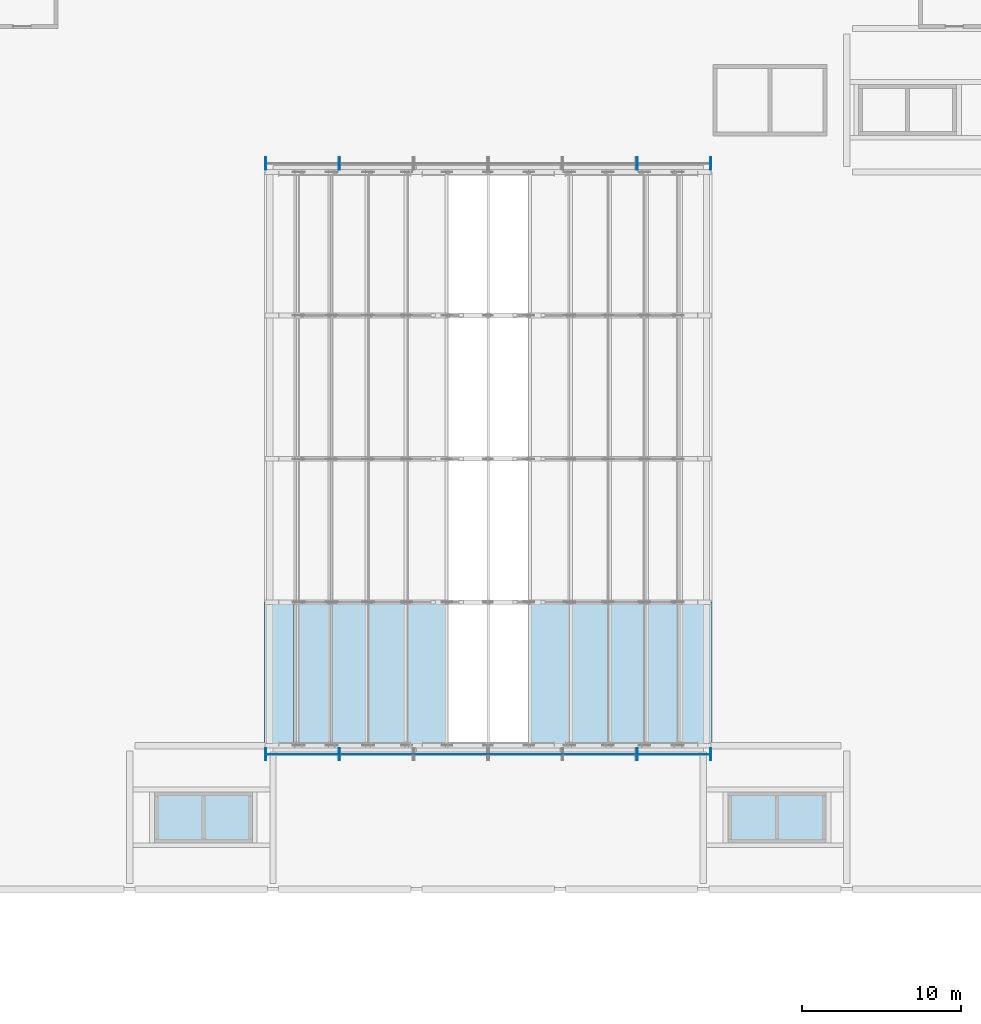
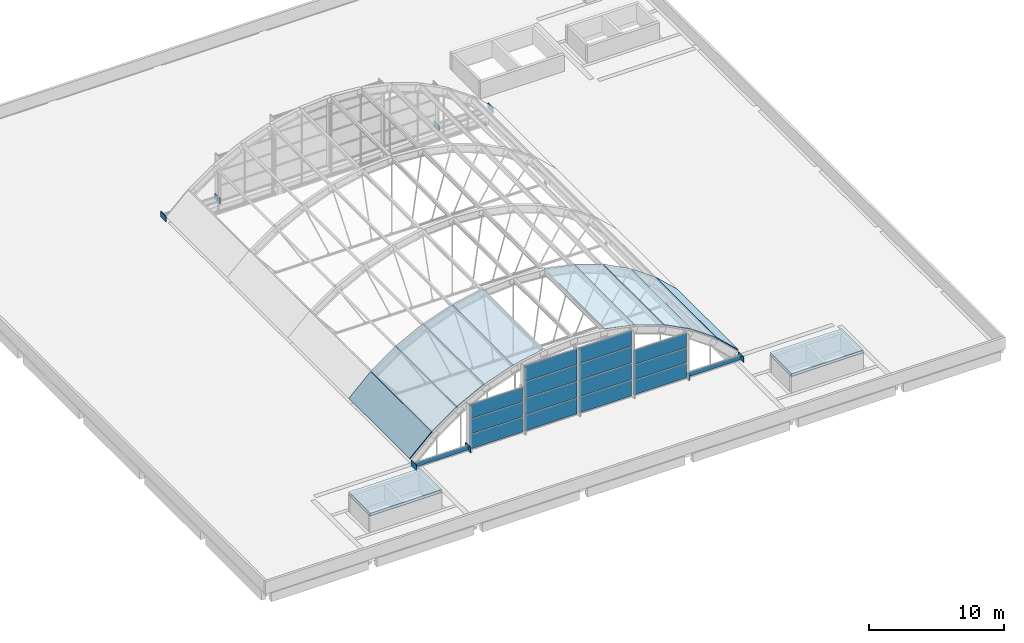
# One storey, part 24 of 43: 26 plates, 8 members, 2 slabs, 8 elements without a shape of their own.
"""IFC4 building model written with IfcOpenShell, lengths in metres."""

from ifc_helpers import new_model, si_unit, direction, frame, origin, origin_2d, place, context, subcontext, project, spatial, polyline, rectangle, outline, extrude, material, layer, layer_set, material_profile, profile_set, type_object, element, aggregate, save


model = new_model("IFC4")

# Units and contexts
model_context = context("Model", 3, precision=1e-05, world=origin(), true_north=direction((0.0, 1.0)))
body_context = subcontext(model_context, "Body", "Model", "MODEL_VIEW")
ifc_project = project(units=[si_unit("LENGTHUNIT", "METRE"), si_unit("AREAUNIT", "SQUARE_METRE"), si_unit("VOLUMEUNIT", "CUBIC_METRE"), si_unit("PLANEANGLEUNIT", "RADIAN"), si_unit("MASSUNIT", "GRAM", prefix="KILO")], contexts=[model_context])

# Site, building, storey
site_placement = place(None, origin())
site = spatial("IfcSite", under=ifc_project, at=site_placement, CompositionType="ELEMENT")
building_placement = place(site_placement, origin())
building = spatial("IfcBuilding", under=site, at=building_placement, Name="Guidao Yard Department Store", CompositionType="ELEMENT")
storey_placement = place(building_placement, frame((0.0, 0.0, 28.5)))
storey = spatial("IfcBuildingStorey", under=building, at=storey_placement, Name="L06", CompositionType="ELEMENT", Elevation=28.5)

# Curtain wall, members
ifc_material_1 = material(Name="Aluminium and glass", Category="aluminium")
ifc_layer_1 = layer(ifc_material_1, 0.159912109375)
ifc_layer_set_1 = layer_set([ifc_layer_1], Name="Gable glazing CW7 1500 module")
curtain_wall_type = type_object("IfcCurtainWallType", Name="Gable glazing CW7 1500 module", PredefinedType="NOTDEFINED", material=ifc_layer_set_1)
curtain_wall_1_placement = place(storey_placement, origin())
curtain_wall_1 = element("IfcCurtainWall", 1, at=curtain_wall_1_placement, inside=storey, type_object=curtain_wall_type, Name="Gable glazing AS1", PredefinedType="NOTDEFINED")
ifc_material_2 = material(Name="Aluminium 6063-T5", Category="aluminium")
ifc_material_profile = material_profile(ifc_material_2, rectangle(XDim=0.06005859375, YDim=0.780029296875, at=origin_2d()), Name="Mullion M3 60 x 780 aluminium pressure plate")
ifc_profile_set = profile_set([ifc_material_profile], Name="Aluminium 6063-T5")
member_type = type_object("IfcMemberType", Name="Mullion M3 60 x 780 aluminium pressure plate", PredefinedType="MULLION", material=ifc_profile_set)
member_1_placement = place(storey_placement, frame((17.5341796875, 53.4599609375, 0.0), z_axis=(0.0, 0.0, 1.0), x_axis=(-1.0, 0.0, 0.0)))
member_1 = element("IfcMember", 2, at=member_1_placement, type_object=member_type, Name="CW-TAS1 mullion 1", PredefinedType="MULLION", context=body_context, shape_type="SweptSolid", body=[
    extrude(rectangle(XDim=0.06005859375, YDim=0.780029296875, at=origin_2d()), origin(), (0.0, 0.0, 1.0), 0.508544921875),
])
member_2_placement = place(storey_placement, frame((22.139404296875, 53.4599609375, 0.0), z_axis=(0.0, 0.0, 1.0), x_axis=(-1.0, 0.0, 0.0)))
member_2 = element("IfcMember", 3, at=member_2_placement, type_object=member_type, Name="CW-TAS1 mullion 2", PredefinedType="MULLION", context=body_context, shape_type="SweptSolid", body=[
    extrude(rectangle(XDim=0.06005859375, YDim=0.780029296875, at=origin_2d()), origin(), (0.0, 0.0, 1.0), 0.508544921875),
])

curtain_wall_2_placement = place(storey_placement, origin())
curtain_wall_2 = element("IfcCurtainWall", 4, at=curtain_wall_2_placement, inside=storey, type_object=curtain_wall_type, Name="Gable glazing AS6", PredefinedType="NOTDEFINED")
member_3_placement = place(storey_placement, frame((40.860595703125, 53.4599609375, 0.0), z_axis=(0.0, 0.0, 1.0), x_axis=(-1.0, 0.0, 0.0)))
member_3 = element("IfcMember", 5, at=member_3_placement, type_object=member_type, Name="CW-TAS6 mullion 1", PredefinedType="MULLION", context=body_context, shape_type="SweptSolid", body=[
    extrude(rectangle(XDim=0.06005859375, YDim=0.780029296875, at=origin_2d()), origin(), (0.0, 0.0, 1.0), 0.508544921875),
])
member_4_placement = place(storey_placement, frame((45.4658203125, 53.4599609375, 0.0), z_axis=(0.0, 0.0, 1.0), x_axis=(-1.0, 0.0, 0.0)))
member_4 = element("IfcMember", 6, at=member_4_placement, type_object=member_type, Name="CW-TAS6 mullion 2", PredefinedType="MULLION", context=body_context, shape_type="SweptSolid", body=[
    extrude(rectangle(XDim=0.06005859375, YDim=0.780029296875, at=origin_2d()), origin(), (0.0, 0.0, 1.0), 0.508544921875),
])

curtain_wall_3_placement = place(storey_placement, origin())
curtain_wall_3 = element("IfcCurtainWall", 7, at=curtain_wall_3_placement, inside=storey, type_object=curtain_wall_type, Name="Gable glazing AN1", PredefinedType="NOTDEFINED")
member_5_placement = place(storey_placement, frame((17.5341796875, 90.5400390625, 0.0), z_axis=(0.0, 0.0, 1.0), x_axis=(1.0, 0.0, 0.0)))
member_5 = element("IfcMember", 8, at=member_5_placement, type_object=member_type, Name="CW-TAN1 mullion 1", PredefinedType="MULLION", context=body_context, shape_type="SweptSolid", body=[
    extrude(rectangle(XDim=0.06005859375, YDim=0.780029296875, at=origin_2d()), origin(), (0.0, 0.0, 1.0), 0.508544921875),
])
member_6_placement = place(storey_placement, frame((22.139404296875, 90.5400390625, 0.0), z_axis=(0.0, 0.0, 1.0), x_axis=(1.0, 0.0, 0.0)))
member_6 = element("IfcMember", 9, at=member_6_placement, type_object=member_type, Name="CW-TAN1 mullion 2", PredefinedType="MULLION", context=body_context, shape_type="SweptSolid", body=[
    extrude(rectangle(XDim=0.06005859375, YDim=0.780029296875, at=origin_2d()), origin(), (0.0, 0.0, 1.0), 0.508544921875),
])
aggregate(curtain_wall_3, [member_5, member_6])

curtain_wall_4_placement = place(storey_placement, origin())
curtain_wall_4 = element("IfcCurtainWall", 10, at=curtain_wall_4_placement, inside=storey, type_object=curtain_wall_type, Name="Gable glazing AN6", PredefinedType="NOTDEFINED")
member_7_placement = place(storey_placement, frame((40.860595703125, 90.5400390625, 0.0), z_axis=(0.0, 0.0, 1.0), x_axis=(1.0, 0.0, 0.0)))
member_7 = element("IfcMember", 11, at=member_7_placement, type_object=member_type, Name="CW-TAN6 mullion 1", PredefinedType="MULLION", context=body_context, shape_type="SweptSolid", body=[
    extrude(rectangle(XDim=0.06005859375, YDim=0.780029296875, at=origin_2d()), origin(), (0.0, 0.0, 1.0), 0.508544921875),
])
member_8_placement = place(storey_placement, frame((45.4658203125, 90.5400390625, 0.0), z_axis=(0.0, 0.0, 1.0), x_axis=(1.0, 0.0, 0.0)))
member_8 = element("IfcMember", 12, at=member_8_placement, type_object=member_type, Name="CW-TAN6 mullion 2", PredefinedType="MULLION", context=body_context, shape_type="SweptSolid", body=[
    extrude(rectangle(XDim=0.06005859375, YDim=0.780029296875, at=origin_2d()), origin(), (0.0, 0.0, 1.0), 0.508544921875),
])
aggregate(curtain_wall_4, [member_7, member_8])

# Plate
ifc_material_3 = material(Name="Laminated glass", Category="glass")
ifc_layer_2 = layer(ifc_material_3, 0.017578125)
ifc_layer_set_2 = layer_set([ifc_layer_2], Name="Gable glass GG1 laminated 8+8")
plate_type_1 = type_object("IfcPlateType", Name="Gable glass GG1 laminated 8+8", PredefinedType="CURTAIN_PANEL", material=ifc_layer_set_2)
plate_1_placement = place(storey_placement, frame((19.836669921875, 53.4599609375, 0.06005859375), z_axis=(0.0, 0.0, 1.0), x_axis=(-1.0, 0.0, 0.0)))
plate_1 = element("IfcPlate", 13, at=plate_1_placement, type_object=plate_type_1, Name="CW-TAS1 panel 1.1", PredefinedType="CURTAIN_PANEL", context=body_context, shape_type="SweptSolid", body=[
    extrude(rectangle(XDim=4.54541015625, YDim=0.017578125, at=origin_2d()), origin(), (0.0, 0.0, 1.0), 0.388671875),
])

aggregate(curtain_wall_1, [member_1, member_2, plate_1])

# Curtain wall, plates
curtain_wall_5_placement = place(storey_placement, origin())
curtain_wall_5 = element("IfcCurtainWall", 14, at=curtain_wall_5_placement, inside=storey, type_object=curtain_wall_type, Name="Gable glazing AS2", PredefinedType="NOTDEFINED")
plate_2_placement = place(storey_placement, frame((24.501953125, 53.4599609375, 0.06005859375), z_axis=(0.0, 0.0, 1.0), x_axis=(-1.0, 0.0, 0.0)))
plate_2 = element("IfcPlate", 15, at=plate_2_placement, type_object=plate_type_1, Name="CW-TAS2 panel 1.1", PredefinedType="CURTAIN_PANEL", context=body_context, shape_type="SweptSolid", body=[
    extrude(rectangle(XDim=4.54541015625, YDim=0.017578125, at=origin_2d()), origin(), (0.0, 0.0, 1.0), 1.29052734375),
])
plate_3_placement = place(storey_placement, frame((24.501953125, 53.4599609375, 1.41064453125), z_axis=(0.0, 0.0, 1.0), x_axis=(-1.0, 0.0, 0.0)))
plate_3 = element("IfcPlate", 16, at=plate_3_placement, type_object=plate_type_1, Name="CW-TAS2 panel 1.2", PredefinedType="CURTAIN_PANEL", context=body_context, shape_type="SweptSolid", body=[
    extrude(rectangle(XDim=4.54541015625, YDim=0.017578125, at=origin_2d()), origin(), (0.0, 0.0, 1.0), 1.320556640625),
])
plate_4_placement = place(storey_placement, frame((24.501953125, 53.4599609375, 2.791015625), z_axis=(0.0, 0.0, 1.0), x_axis=(-1.0, 0.0, 0.0)))
plate_4 = element("IfcPlate", 17, at=plate_4_placement, type_object=plate_type_1, Name="CW-TAS2 panel 1.3", PredefinedType="CURTAIN_PANEL", context=body_context, shape_type="SweptSolid", body=[
    extrude(rectangle(XDim=4.54541015625, YDim=0.017578125, at=origin_2d()), origin(), (0.0, 0.0, 1.0), 1.29052734375),
])
aggregate(curtain_wall_5, [plate_2, plate_3, plate_4])

curtain_wall_6_placement = place(storey_placement, origin())
curtain_wall_6 = element("IfcCurtainWall", 18, at=curtain_wall_6_placement, inside=storey, type_object=curtain_wall_type, Name="Gable glazing AS3", PredefinedType="NOTDEFINED")
plate_5_placement = place(storey_placement, frame((29.167236328125, 53.4599609375, 0.06005859375), z_axis=(0.0, 0.0, 1.0), x_axis=(-1.0, 0.0, 0.0)))
plate_5 = element("IfcPlate", 19, at=plate_5_placement, type_object=plate_type_1, Name="CW-TAS3 panel 1.1", PredefinedType="CURTAIN_PANEL", context=body_context, shape_type="SweptSolid", body=[
    extrude(rectangle(XDim=4.54541015625, YDim=0.017578125, at=origin_2d()), origin(), (0.0, 0.0, 1.0), 1.409912109375),
])
plate_6_placement = place(storey_placement, frame((29.167236328125, 53.4599609375, 1.530029296875), z_axis=(0.0, 0.0, 1.0), x_axis=(-1.0, 0.0, 0.0)))
plate_6 = element("IfcPlate", 20, at=plate_6_placement, type_object=plate_type_1, Name="CW-TAS3 panel 1.2", PredefinedType="CURTAIN_PANEL", context=body_context, shape_type="SweptSolid", body=[
    extrude(rectangle(XDim=4.54541015625, YDim=0.017578125, at=origin_2d()), origin(), (0.0, 0.0, 1.0), 1.43994140625),
])
plate_7_placement = place(storey_placement, frame((29.167236328125, 53.4599609375, 3.030029296875), z_axis=(0.0, 0.0, 1.0), x_axis=(-1.0, 0.0, 0.0)))
plate_7 = element("IfcPlate", 21, at=plate_7_placement, type_object=plate_type_1, Name="CW-TAS3 panel 1.3", PredefinedType="CURTAIN_PANEL", context=body_context, shape_type="SweptSolid", body=[
    extrude(rectangle(XDim=4.54541015625, YDim=0.017578125, at=origin_2d()), origin(), (0.0, 0.0, 1.0), 1.43994140625),
])
plate_8_placement = place(storey_placement, frame((29.167236328125, 53.4599609375, 4.5302734375), z_axis=(0.0, 0.0, 1.0), x_axis=(-1.0, 0.0, 0.0)))
plate_8 = element("IfcPlate", 22, at=plate_8_placement, type_object=plate_type_1, Name="CW-TAS3 panel 1.4", PredefinedType="CURTAIN_PANEL", context=body_context, shape_type="SweptSolid", body=[
    extrude(rectangle(XDim=4.54541015625, YDim=0.017578125, at=origin_2d()), origin(), (0.0, 0.0, 1.0), 1.409912109375),
])
aggregate(curtain_wall_6, [plate_5, plate_6, plate_7, plate_8])

curtain_wall_7_placement = place(storey_placement, origin())
curtain_wall_7 = element("IfcCurtainWall", 23, at=curtain_wall_7_placement, inside=storey, type_object=curtain_wall_type, Name="Gable glazing AS4", PredefinedType="NOTDEFINED")
plate_9_placement = place(storey_placement, frame((33.832763671875, 53.4599609375, 0.06005859375), z_axis=(0.0, 0.0, 1.0), x_axis=(-1.0, 0.0, 0.0)))
plate_9 = element("IfcPlate", 24, at=plate_9_placement, type_object=plate_type_1, Name="CW-TAS4 panel 1.1", PredefinedType="CURTAIN_PANEL", context=body_context, shape_type="SweptSolid", body=[
    extrude(rectangle(XDim=4.54541015625, YDim=0.017578125, at=origin_2d()), origin(), (0.0, 0.0, 1.0), 1.409912109375),
])
plate_10_placement = place(storey_placement, frame((33.832763671875, 53.4599609375, 1.530029296875), z_axis=(0.0, 0.0, 1.0), x_axis=(-1.0, 0.0, 0.0)))
plate_10 = element("IfcPlate", 25, at=plate_10_placement, type_object=plate_type_1, Name="CW-TAS4 panel 1.2", PredefinedType="CURTAIN_PANEL", context=body_context, shape_type="SweptSolid", body=[
    extrude(rectangle(XDim=4.54541015625, YDim=0.017578125, at=origin_2d()), origin(), (0.0, 0.0, 1.0), 1.43994140625),
])
plate_11_placement = place(storey_placement, frame((33.832763671875, 53.4599609375, 3.030029296875), z_axis=(0.0, 0.0, 1.0), x_axis=(-1.0, 0.0, 0.0)))
plate_11 = element("IfcPlate", 26, at=plate_11_placement, type_object=plate_type_1, Name="CW-TAS4 panel 1.3", PredefinedType="CURTAIN_PANEL", context=body_context, shape_type="SweptSolid", body=[
    extrude(rectangle(XDim=4.54541015625, YDim=0.017578125, at=origin_2d()), origin(), (0.0, 0.0, 1.0), 1.43994140625),
])
plate_12_placement = place(storey_placement, frame((33.832763671875, 53.4599609375, 4.5302734375), z_axis=(0.0, 0.0, 1.0), x_axis=(-1.0, 0.0, 0.0)))
plate_12 = element("IfcPlate", 27, at=plate_12_placement, type_object=plate_type_1, Name="CW-TAS4 panel 1.4", PredefinedType="CURTAIN_PANEL", context=body_context, shape_type="SweptSolid", body=[
    extrude(rectangle(XDim=4.54541015625, YDim=0.017578125, at=origin_2d()), origin(), (0.0, 0.0, 1.0), 1.409912109375),
])
aggregate(curtain_wall_7, [plate_9, plate_10, plate_11, plate_12])

curtain_wall_8_placement = place(storey_placement, origin())
curtain_wall_8 = element("IfcCurtainWall", 28, at=curtain_wall_8_placement, inside=storey, type_object=curtain_wall_type, Name="Gable glazing AS5", PredefinedType="NOTDEFINED")
plate_13_placement = place(storey_placement, frame((38.498046875, 53.4599609375, 0.06005859375), z_axis=(0.0, 0.0, 1.0), x_axis=(-1.0, 0.0, 0.0)))
plate_13 = element("IfcPlate", 29, at=plate_13_placement, type_object=plate_type_1, Name="CW-TAS5 panel 1.1", PredefinedType="CURTAIN_PANEL", context=body_context, shape_type="SweptSolid", body=[
    extrude(rectangle(XDim=4.54541015625, YDim=0.017578125, at=origin_2d()), origin(), (0.0, 0.0, 1.0), 1.29052734375),
])
plate_14_placement = place(storey_placement, frame((38.498046875, 53.4599609375, 1.41064453125), z_axis=(0.0, 0.0, 1.0), x_axis=(-1.0, 0.0, 0.0)))
plate_14 = element("IfcPlate", 30, at=plate_14_placement, type_object=plate_type_1, Name="CW-TAS5 panel 1.2", PredefinedType="CURTAIN_PANEL", context=body_context, shape_type="SweptSolid", body=[
    extrude(rectangle(XDim=4.54541015625, YDim=0.017578125, at=origin_2d()), origin(), (0.0, 0.0, 1.0), 1.320556640625),
])
plate_15_placement = place(storey_placement, frame((38.498046875, 53.4599609375, 2.791015625), z_axis=(0.0, 0.0, 1.0), x_axis=(-1.0, 0.0, 0.0)))
plate_15 = element("IfcPlate", 31, at=plate_15_placement, type_object=plate_type_1, Name="CW-TAS5 panel 1.3", PredefinedType="CURTAIN_PANEL", context=body_context, shape_type="SweptSolid", body=[
    extrude(rectangle(XDim=4.54541015625, YDim=0.017578125, at=origin_2d()), origin(), (0.0, 0.0, 1.0), 1.29052734375),
])
aggregate(curtain_wall_8, [plate_13, plate_14, plate_15])

# Plate
plate_16_placement = place(storey_placement, frame((43.163330078125, 53.4599609375, 0.06005859375), z_axis=(0.0, 0.0, 1.0), x_axis=(-1.0, 0.0, 0.0)))
plate_16 = element("IfcPlate", 32, at=plate_16_placement, type_object=plate_type_1, Name="CW-TAS6 panel 1.1", PredefinedType="CURTAIN_PANEL", context=body_context, shape_type="SweptSolid", body=[
    extrude(rectangle(XDim=4.54541015625, YDim=0.017578125, at=origin_2d()), origin(), (0.0, 0.0, 1.0), 0.388671875),
])

aggregate(curtain_wall_2, [member_3, member_4, plate_16])

# Plates
ifc_material_4 = material(Name="Laminated glass", Category="glass")
ifc_layer_3 = layer(ifc_material_4, 0.021484375)
ifc_layer_set_3 = layer_set([ifc_layer_3], Name="Roof glass RG2 laminated fritted 10+10 PVB 1.52")
plate_type_2 = type_object("IfcPlateType", Name="Roof glass RG2 laminated fritted 10+10 PVB 1.52", PredefinedType="SHEET", material=ifc_layer_set_3)
plate_17_placement = place(storey_placement, frame((23.826171875, 54.0, 5.028564453125), z_axis=(-0.335894288517, 0.0, 0.941899690488), x_axis=(0.941899690488, 0.0, 0.335894288517)))
element("IfcPlate", 33, at=plate_17_placement, inside=storey, type_object=plate_type_2, Name="Roof glass A01-04", PredefinedType="SHEET", context=body_context, shape_type="SweptSolid", body=[
    extrude(outline(polyline([(0.0, 0.0), (2.6238840205951743, 0.0), (2.6238840205951743, 9.0), (0.0, 9.0), (0.0, 0.0)])), origin(), (0.0, 0.0, -1.0), 0.021484375),
])
for number, where, z_axis, x_axis, name in (
    (34, (26.300537109375, 54.0, 5.91064453125), (-0.203972808373, 0.0, 0.978976554083), (0.978976554083, 0.0, 0.203972808373), "Roof glass A01-05"),
    (35, (34.12744140625, 54.0, 6.446533203125), (0.203972808373, 0.0, 0.978976554083), (0.978976554083, 0.0, -0.203972808373), "Roof glass A01-08"),
):
    element("IfcPlate", number, at=place(storey_placement, frame(where, z_axis=z_axis, x_axis=x_axis)), inside=storey, type_object=plate_type_2, Name=name, PredefinedType="SHEET", context=body_context, shape_type="SweptSolid", body=[
        extrude(outline(polyline([(0.0, 0.0), (2.627255447178772, 0.0), (2.627255447178772, 9.0), (0.0, 9.0), (0.0, 0.0)])), origin(), (0.0, 0.0, -1.0), 0.021484375),
    ])
plate_18_placement = place(storey_placement, frame((36.702392578125, 54.0, 5.909912109375), z_axis=(0.335894288517, 0.0, 0.941899690488), x_axis=(0.941899690488, 0.0, -0.335894288517)))
element("IfcPlate", 36, at=plate_18_placement, inside=storey, type_object=plate_type_2, Name="Roof glass A01-09", PredefinedType="SHEET", context=body_context, shape_type="SweptSolid", body=[
    extrude(outline(polyline([(0.0, 0.0), (2.6238840205951743, 0.0), (2.6238840205951743, 9.0), (0.0, 9.0), (0.0, 0.0)])), origin(), (0.0, 0.0, -1.0), 0.021484375),
])
ifc_material_5 = material(Name="Insulated metal panel")
ifc_layer_4 = layer(ifc_material_5, 0.080078125)
ifc_layer_set_4 = layer_set([ifc_layer_4], Name="Roof panel RP1 insulated metal 80 mm")
plate_type_3 = type_object("IfcPlateType", Name="Roof panel RP1 insulated metal 80 mm", PredefinedType="SHEET", material=ifc_layer_set_4)
plate_19_placement = place(storey_placement, frame((17.44921875, 54.0, 0.56689453125), z_axis=(-0.687025902114, 0.0, 0.726632926466), x_axis=(0.726632926466, 0.0, 0.687025902114)))
element("IfcPlate", 37, at=plate_19_placement, inside=storey, type_object=plate_type_3, Name="Roof panel A01-01", PredefinedType="SHEET", context=body_context, shape_type="SweptSolid", body=[
    extrude(outline(polyline([(0.0, 0.0), (2.5827469634541433, 0.0), (2.5827469634541433, 9.0), (0.0, 9.0), (0.0, 0.0)])), origin(), (0.0, 0.0, -1.0), 0.080078125),
])
plate_20_placement = place(storey_placement, frame((19.33447265625, 54.0, 2.34814453125), z_axis=(-0.579814650286, 0.0, 0.814748409826), x_axis=(0.814748409826, 0.0, 0.579814650286)))
element("IfcPlate", 38, at=plate_20_placement, inside=storey, type_object=plate_type_3, Name="Roof panel A01-02", PredefinedType="SHEET", context=body_context, shape_type="SweptSolid", body=[
    extrude(outline(polyline([(0.0, 0.0), (2.6135608312563763, 0.0), (2.6135608312563763, 9.0), (0.0, 9.0), (0.0, 0.0)])), origin(), (0.0, 0.0, -1.0), 0.080078125),
])
for number, where, z_axis, x_axis, name in (
    (39, (21.473388671875, 54.0, 3.869384765625), (-0.461954276603, 0.0, 0.886903741298), (0.886903741298, 0.0, 0.461954276603), "Roof panel A01-03"),
    (40, (39.20361328125, 54.0, 5.079345703125), (0.461954276603, 0.0, 0.886903741298), (0.886903741298, 0.0, -0.461954276603), "Roof panel A01-10"),
):
    element("IfcPlate", number, at=place(storey_placement, frame(where, z_axis=z_axis, x_axis=x_axis)), inside=storey, type_object=plate_type_3, Name=name, PredefinedType="SHEET", context=body_context, shape_type="SweptSolid", body=[
        extrude(outline(polyline([(0.0, 0.0), (2.6192222884018346, 0.0), (2.6192222884018346, 9.0), (0.0, 9.0), (0.0, 0.0)])), origin(), (0.0, 0.0, -1.0), 0.080078125),
    ])
plate_21_placement = place(storey_placement, frame((41.5361328125, 54.0, 3.863525390625), z_axis=(0.579814650286, 0.0, 0.814748409826), x_axis=(0.814748409826, 0.0, -0.579814650286)))
element("IfcPlate", 41, at=plate_21_placement, inside=storey, type_object=plate_type_3, Name="Roof panel A01-11", PredefinedType="SHEET", context=body_context, shape_type="SweptSolid", body=[
    extrude(outline(polyline([(0.0, 0.0), (2.6135608312563763, 0.0), (2.6135608312563763, 9.0), (0.0, 9.0), (0.0, 0.0)])), origin(), (0.0, 0.0, -1.0), 0.080078125),
])
plate_22_placement = place(storey_placement, frame((43.674072265625, 54.0, 2.34130859375), z_axis=(0.687025902114, 0.0, 0.726632926466), x_axis=(0.726632926466, 0.0, -0.687025902114)))
element("IfcPlate", 42, at=plate_22_placement, inside=storey, type_object=plate_type_3, Name="Roof panel A01-12", PredefinedType="SHEET", context=body_context, shape_type="SweptSolid", body=[
    extrude(outline(polyline([(0.0, 0.0), (2.5827469634541433, 0.0), (2.5827469634541433, 9.0), (0.0, 9.0), (0.0, 0.0)])), origin(), (0.0, 0.0, -1.0), 0.080078125),
])

# Slabs
ifc_material_6 = material(Name="Concrete C35", Category="concrete")
ifc_layer_5 = layer(ifc_material_6, 0.25)
ifc_layer_set_5 = layer_set([ifc_layer_5], Name="Roof slab RC 250 C35 head house")
slab_type = type_object("IfcSlabType", Name="Roof slab RC 250 C35 head house", PredefinedType="ROOF", material=ifc_layer_set_5)
slab_1_placement = place(storey_placement, frame((0.0, 0.0, 1.5)))
element("IfcSlab", 43, at=slab_1_placement, inside=storey, type_object=slab_type, Name="Lift overrun cover slab HL1 to HL2", PredefinedType="ROOF", context=body_context, shape_type="SweptSolid", body=[
    extrude(outline(polyline([(10.550048828125, 47.89990234375), (16.699951171875, 47.89990234375), (16.699951171875, 51.10009765625), (10.550048828125, 51.10009765625), (10.550048828125, 47.89990234375)])), origin(), (0.0, 0.0, 1.0), 0.25),
])
slab_2_placement = place(storey_placement, frame((0.0, 0.0, 1.5)))
element("IfcSlab", 44, at=slab_2_placement, inside=storey, type_object=slab_type, Name="Lift overrun cover slab HL3 to HL4", PredefinedType="ROOF", context=body_context, shape_type="SweptSolid", body=[
    extrude(outline(polyline([(46.550048828125, 47.89990234375), (52.699951171875, 47.89990234375), (52.699951171875, 51.10009765625), (46.550048828125, 51.10009765625), (46.550048828125, 47.89990234375)])), origin(), (0.0, 0.0, 1.0), 0.25),
])

save(model, "model.ifc")
